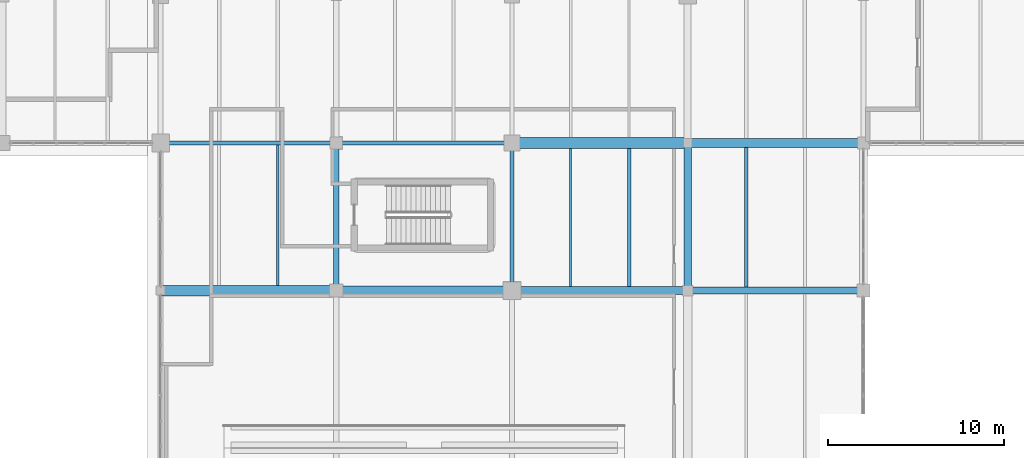
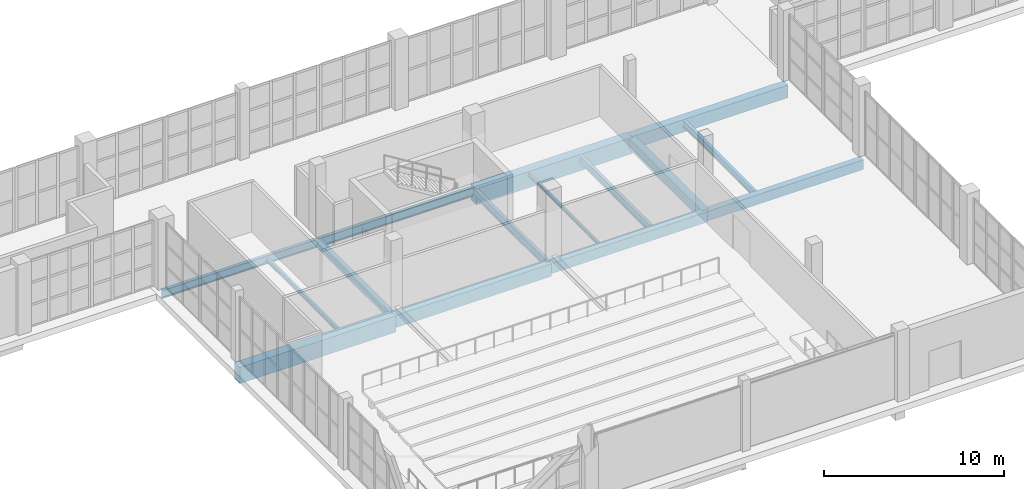
# One storey, part 61 of 121: 15 beams.
"""IFC4 building model written with IfcOpenShell, lengths in metres."""

from ifc_helpers import new_model, si_unit, direction, frame, origin, origin_2d, place, context, subcontext, project, spatial, rectangle, i_section, extrude, material, material_profile, profile_set, type_object, element, save


model = new_model("IFC4")

# Units and contexts
model_context = context("Model", 3, precision=1e-05, world=origin(), true_north=direction((0.0, 1.0)))
body_context = subcontext(model_context, "Body", "Model", "MODEL_VIEW")
ifc_project = project(units=[si_unit("LENGTHUNIT", "METRE"), si_unit("AREAUNIT", "SQUARE_METRE"), si_unit("VOLUMEUNIT", "CUBIC_METRE"), si_unit("PLANEANGLEUNIT", "RADIAN"), si_unit("MASSUNIT", "GRAM", prefix="KILO")], contexts=[model_context])

# Site, building, storey
site_placement = place(None, origin())
site = spatial("IfcSite", under=ifc_project, at=site_placement, CompositionType="ELEMENT")
building_placement = place(site_placement, origin())
building = spatial("IfcBuilding", under=site, at=building_placement, Name="Zereglee Splitstone Museum", CompositionType="ELEMENT")
storey_placement = place(building_placement, origin())
storey = spatial("IfcBuildingStorey", under=building, at=storey_placement, Name="L00", CompositionType="ELEMENT", Elevation=0.0)

# Beams
ifc_material_1 = material(Name="Concrete C40/50", Category="concrete")
ifc_material_profile_1 = material_profile(ifc_material_1, rectangle(XDim=0.39990234375, YDim=0.64990234375, at=origin_2d()), Name="RC 400x650")
ifc_profile_set_1 = profile_set([ifc_material_profile_1], Name="Concrete C40/50")
beam_type_1 = type_object("IfcBeamType", Name="BG-04", PredefinedType="BEAM", material=ifc_profile_set_1)
beam_1_placement = place(storey_placement, frame((286.0, 21.60009765625, -0.7451171875), z_axis=(1.0, 0.0, 0.0), x_axis=(0.0, 1.0, 0.0)))
element("IfcBeam", 1, at=beam_1_placement, inside=storey, type_object=beam_type_1, Name="Primary Girder L00 C (286.0-296.0)", PredefinedType="BEAM", context=body_context, shape_type="SweptSolid", body=[
    extrude(rectangle(XDim=0.39990234375, YDim=0.64990234375, at=origin_2d()), origin(), (0.0, 0.0, 1.0), 10.0),
])
ifc_material_profile_2 = material_profile(ifc_material_1, rectangle(XDim=0.449951171875, YDim=0.699951171875, at=origin_2d()), Name="RC 450x700")
ifc_profile_set_2 = profile_set([ifc_material_profile_2], Name="Concrete C40/50")
beam_type_2 = type_object("IfcBeamType", Name="BG-03", PredefinedType="BEAM", material=ifc_profile_set_2)
beam_2_placement = place(storey_placement, frame((276.0, 21.60009765625, -0.77001953125), z_axis=(1.0, 0.0, 0.0), x_axis=(0.0, 1.0, 0.0)))
element("IfcBeam", 2, at=beam_2_placement, inside=storey, type_object=beam_type_2, Name="Primary Girder L00 C (276.0-286.0)", PredefinedType="BEAM", context=body_context, shape_type="SweptSolid", body=[
    extrude(rectangle(XDim=0.449951171875, YDim=0.699951171875, at=origin_2d()), origin(), (0.0, 0.0, 1.0), 10.0),
])
beam_3_placement = place(storey_placement, frame((286.0, 21.60009765625, -0.77001953125), z_axis=(0.0, 1.0, 0.0), x_axis=(-1.0, 0.0, 0.0)))
element("IfcBeam", 3, at=beam_3_placement, inside=storey, type_object=beam_type_2, Name="Primary Girder L00 32 (21.6-30.0)", PredefinedType="BEAM", context=body_context, shape_type="SweptSolid", body=[
    extrude(rectangle(XDim=0.449951171875, YDim=0.699951171875, at=origin_2d()), origin(), (0.0, 0.0, 1.0), 8.39990234375),
])
ifc_material_profile_3 = material_profile(ifc_material_1, rectangle(XDim=0.5, YDim=0.85009765625, at=origin_2d()), Name="RC 500x850")
ifc_profile_set_3 = profile_set([ifc_material_profile_3], Name="Concrete C40/50")
beam_type_3 = type_object("IfcBeamType", Name="BG-02", PredefinedType="BEAM", material=ifc_profile_set_3)
for number, where, z_axis, x_axis, name in (
    (4, (266.0, 21.60009765625, -0.844970703125), (1.0, 0.0, 0.0), (0.0, 1.0, 0.0), "Primary Girder L00 C (266.0-276.0)"),
    (5, (286.0, 30.0, -0.844970703125), (1.0, 0.0, 0.0), (0.0, 1.0, 0.0), "Primary Girder L00 D (286.0-296.0)"),
):
    element("IfcBeam", number, at=place(storey_placement, frame(where, z_axis=z_axis, x_axis=x_axis)), inside=storey, type_object=beam_type_3, Name=name, PredefinedType="BEAM", context=body_context, shape_type="SweptSolid", body=[
        extrude(rectangle(XDim=0.5, YDim=0.85009765625, at=origin_2d()), origin(), (0.0, 0.0, 1.0), 10.0),
    ])
ifc_material_profile_4 = material_profile(ifc_material_1, rectangle(XDim=0.60009765625, YDim=1.10009765625, at=origin_2d()), Name="RC 600x1100")
ifc_profile_set_4 = profile_set([ifc_material_profile_4], Name="Concrete C40/50")
beam_type_4 = type_object("IfcBeamType", Name="BG-01", PredefinedType="BEAM", material=ifc_profile_set_4)
for number, where, z_axis, x_axis, name in (
    (6, (256.0, 21.60009765625, -0.969970703125), (1.0, 0.0, 0.0), (0.0, 1.0, 0.0), "Primary Girder L00 C (256.0-266.0)"),
    (7, (276.0, 30.0, -0.969970703125), (1.0, 0.0, 0.0), (0.0, 1.0, 0.0), "Primary Girder L00 D (276.0-286.0)"),
):
    element("IfcBeam", number, at=place(storey_placement, frame(where, z_axis=z_axis, x_axis=x_axis)), inside=storey, type_object=beam_type_4, Name=name, PredefinedType="BEAM", context=body_context, shape_type="SweptSolid", body=[
        extrude(rectangle(XDim=0.60009765625, YDim=1.10009765625, at=origin_2d()), origin(), (0.0, 0.0, 1.0), 10.0),
    ])
ifc_material_2 = material(Name="Steel S355J2", Category="steel")
ifc_material_profile_5 = material_profile(ifc_material_2, i_section(OverallWidth=0.300048828125, OverallDepth=0.5, WebThickness=0.014404296875, FlangeThickness=0.028076171875, FilletRadius=0.027099609375, at=origin_2d()), Name="HE 500 B")
ifc_profile_set_5 = profile_set([ifc_material_profile_5], Name="Steel S355J2")
beam_type_5 = type_object("IfcBeamType", Name="BG-12", PredefinedType="BEAM", material=ifc_profile_set_5)
beam_4_placement = place(storey_placement, frame((266.0, 21.60009765625, -0.669921875), z_axis=(0.0, 1.0, 0.0), x_axis=(-1.0, 0.0, 0.0)))
element("IfcBeam", 8, at=beam_4_placement, inside=storey, type_object=beam_type_5, Name="Primary Girder L00 30 (21.6-30.0)", PredefinedType="BEAM", context=body_context, shape_type="SweptSolid", body=[
    extrude(i_section(OverallWidth=0.300048828125, OverallDepth=0.5, WebThickness=0.014404296875, FlangeThickness=0.028076171875, FilletRadius=0.027099609375, at=origin_2d()), origin(), (0.0, 0.0, 1.0), 8.39990234375),
])
ifc_material_profile_6 = material_profile(ifc_material_2, i_section(OverallWidth=0.2099609375, OverallDepth=0.550048828125, WebThickness=0.010986328125, FlangeThickness=0.01708984375, FilletRadius=0.02392578125, at=origin_2d()), Name="IPE 550")
ifc_profile_set_6 = profile_set([ifc_material_profile_6], Name="Steel S355J2")
beam_type_6 = type_object("IfcBeamType", Name="BG-16", PredefinedType="BEAM", material=ifc_profile_set_6)
beam_5_placement = place(storey_placement, frame((256.0, 30.0, -0.695068359375), z_axis=(1.0, 0.0, 0.0), x_axis=(0.0, 1.0, 0.0)))
element("IfcBeam", 9, at=beam_5_placement, inside=storey, type_object=beam_type_6, Name="Primary Girder L00 D (256.0-266.0)", PredefinedType="BEAM", context=body_context, shape_type="SweptSolid", body=[
    extrude(i_section(OverallWidth=0.2099609375, OverallDepth=0.550048828125, WebThickness=0.010986328125, FlangeThickness=0.01708984375, FilletRadius=0.02392578125, at=origin_2d()), origin(), (0.0, 0.0, 1.0), 10.0),
])
beam_6_placement = place(storey_placement, frame((276.0, 21.60009765625, -0.695068359375), z_axis=(0.0, 1.0, 0.0), x_axis=(-1.0, 0.0, 0.0)))
element("IfcBeam", 10, at=beam_6_placement, inside=storey, type_object=beam_type_6, Name="Primary Girder L00 31 (21.6-30.0)", PredefinedType="BEAM", context=body_context, shape_type="SweptSolid", body=[
    extrude(i_section(OverallWidth=0.2099609375, OverallDepth=0.550048828125, WebThickness=0.010986328125, FlangeThickness=0.01708984375, FilletRadius=0.02392578125, at=origin_2d()), origin(), (0.0, 0.0, 1.0), 8.39990234375),
])
ifc_material_profile_7 = material_profile(ifc_material_2, i_section(OverallWidth=0.219970703125, OverallDepth=0.60009765625, WebThickness=0.011962890625, FlangeThickness=0.01904296875, FilletRadius=0.02392578125, at=origin_2d()), Name="IPE 600")
ifc_profile_set_7 = profile_set([ifc_material_profile_7], Name="Steel S355J2")
beam_type_7 = type_object("IfcBeamType", Name="BG-15", PredefinedType="BEAM", material=ifc_profile_set_7)
beam_7_placement = place(storey_placement, frame((266.0, 30.0, -0.719970703125), z_axis=(1.0, 0.0, 0.0), x_axis=(0.0, 1.0, 0.0)))
element("IfcBeam", 11, at=beam_7_placement, inside=storey, type_object=beam_type_7, Name="Primary Girder L00 D (266.0-276.0)", PredefinedType="BEAM", context=body_context, shape_type="SweptSolid", body=[
    extrude(i_section(OverallWidth=0.219970703125, OverallDepth=0.60009765625, WebThickness=0.011962890625, FlangeThickness=0.01904296875, FilletRadius=0.02392578125, at=origin_2d()), origin(), (0.0, 0.0, 1.0), 10.0),
])
ifc_material_profile_8 = material_profile(ifc_material_2, i_section(OverallWidth=0.1201171875, OverallDepth=0.239990234375, WebThickness=0.006103515625, FlangeThickness=0.009765625, FilletRadius=0.014892578125, at=origin_2d()), Name="IPE 240")
ifc_profile_set_8 = profile_set([ifc_material_profile_8], Name="Steel S355J2")
beam_type_8 = type_object("IfcBeamType", Name="BJ-07", PredefinedType="JOIST", material=ifc_profile_set_8)
beam_8_placement = place(storey_placement, frame((279.333251953125, 21.824951171875, -0.5400390625), z_axis=(0.0, 1.0, 0.0), x_axis=(-1.0, 0.0, 0.0)))
element("IfcBeam", 12, at=beam_8_placement, inside=storey, type_object=beam_type_8, Name="Secondary Floor Joist L00-0335", PredefinedType="JOIST", context=body_context, shape_type="SweptSolid", body=[
    extrude(i_section(OverallWidth=0.1201171875, OverallDepth=0.239990234375, WebThickness=0.006103515625, FlangeThickness=0.009765625, FilletRadius=0.014892578125, at=origin_2d()), origin(), (0.0, 0.0, 1.0), 7.875),
])
ifc_material_profile_9 = material_profile(ifc_material_2, i_section(OverallWidth=0.14990234375, OverallDepth=0.300048828125, WebThickness=0.007080078125, FlangeThickness=0.0107421875, FilletRadius=0.014892578125, at=origin_2d()), Name="IPE 300")
ifc_profile_set_9 = profile_set([ifc_material_profile_9], Name="Steel S355J2")
beam_type_9 = type_object("IfcBeamType", Name="BJ-06", PredefinedType="JOIST", material=ifc_profile_set_9)
beam_9_placement = place(storey_placement, frame((262.666748046875, 21.89990234375, -0.570068359375), z_axis=(0.0, 1.0, 0.0), x_axis=(-1.0, 0.0, 0.0)))
element("IfcBeam", 13, at=beam_9_placement, inside=storey, type_object=beam_type_9, Name="Secondary Floor Joist L00-0334", PredefinedType="JOIST", context=body_context, shape_type="SweptSolid", body=[
    extrude(i_section(OverallWidth=0.14990234375, OverallDepth=0.300048828125, WebThickness=0.007080078125, FlangeThickness=0.0107421875, FilletRadius=0.014892578125, at=origin_2d()), origin(), (0.0, 0.0, 1.0), 7.9951171875),
])
ifc_material_profile_10 = material_profile(ifc_material_2, i_section(OverallWidth=0.18994140625, OverallDepth=0.449951171875, WebThickness=0.009521484375, FlangeThickness=0.0146484375, FilletRadius=0.02099609375, at=origin_2d()), Name="IPE 450")
ifc_profile_set_10 = profile_set([ifc_material_profile_10], Name="Steel S355J2")
beam_type_10 = type_object("IfcBeamType", Name="BJ-02", PredefinedType="JOIST", material=ifc_profile_set_10)
beam_10_placement = place(storey_placement, frame((289.333251953125, 21.800048828125, -0.64501953125), z_axis=(0.0, 1.0, 0.0), x_axis=(-1.0, 0.0, 0.0)))
element("IfcBeam", 14, at=beam_10_placement, inside=storey, type_object=beam_type_10, Name="Secondary Floor Joist L00-0337", PredefinedType="JOIST", context=body_context, shape_type="SweptSolid", body=[
    extrude(i_section(OverallWidth=0.18994140625, OverallDepth=0.449951171875, WebThickness=0.009521484375, FlangeThickness=0.0146484375, FilletRadius=0.02099609375, at=origin_2d()), origin(), (0.0, 0.0, 1.0), 7.949951171875),
])
ifc_material_profile_11 = material_profile(ifc_material_2, i_section(OverallWidth=0.199951171875, OverallDepth=0.5, WebThickness=0.01025390625, FlangeThickness=0.01611328125, FilletRadius=0.02099609375, at=origin_2d()), Name="IPE 500")
ifc_profile_set_11 = profile_set([ifc_material_profile_11], Name="Steel S355J2")
beam_type_11 = type_object("IfcBeamType", Name="BJ-01", PredefinedType="JOIST", material=ifc_profile_set_11)
beam_11_placement = place(storey_placement, frame((282.666748046875, 21.824951171875, -0.669921875), z_axis=(0.0, 1.0, 0.0), x_axis=(-1.0, 0.0, 0.0)))
element("IfcBeam", 15, at=beam_11_placement, inside=storey, type_object=beam_type_11, Name="Secondary Floor Joist L00-0336", PredefinedType="JOIST", context=body_context, shape_type="SweptSolid", body=[
    extrude(i_section(OverallWidth=0.199951171875, OverallDepth=0.5, WebThickness=0.01025390625, FlangeThickness=0.01611328125, FilletRadius=0.02099609375, at=origin_2d()), origin(), (0.0, 0.0, 1.0), 7.875),
])

save(model, "model.ifc")
